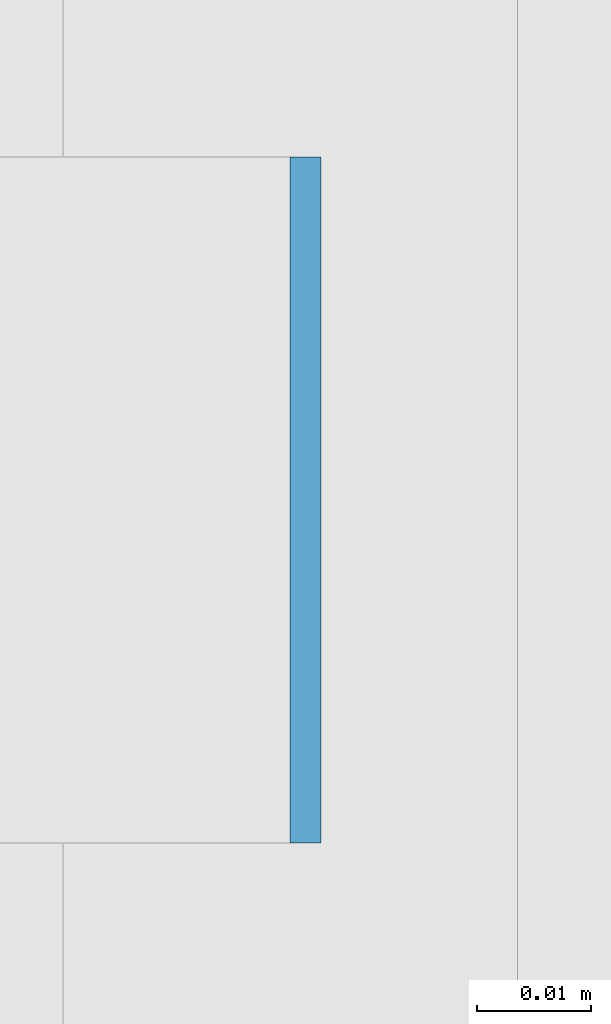
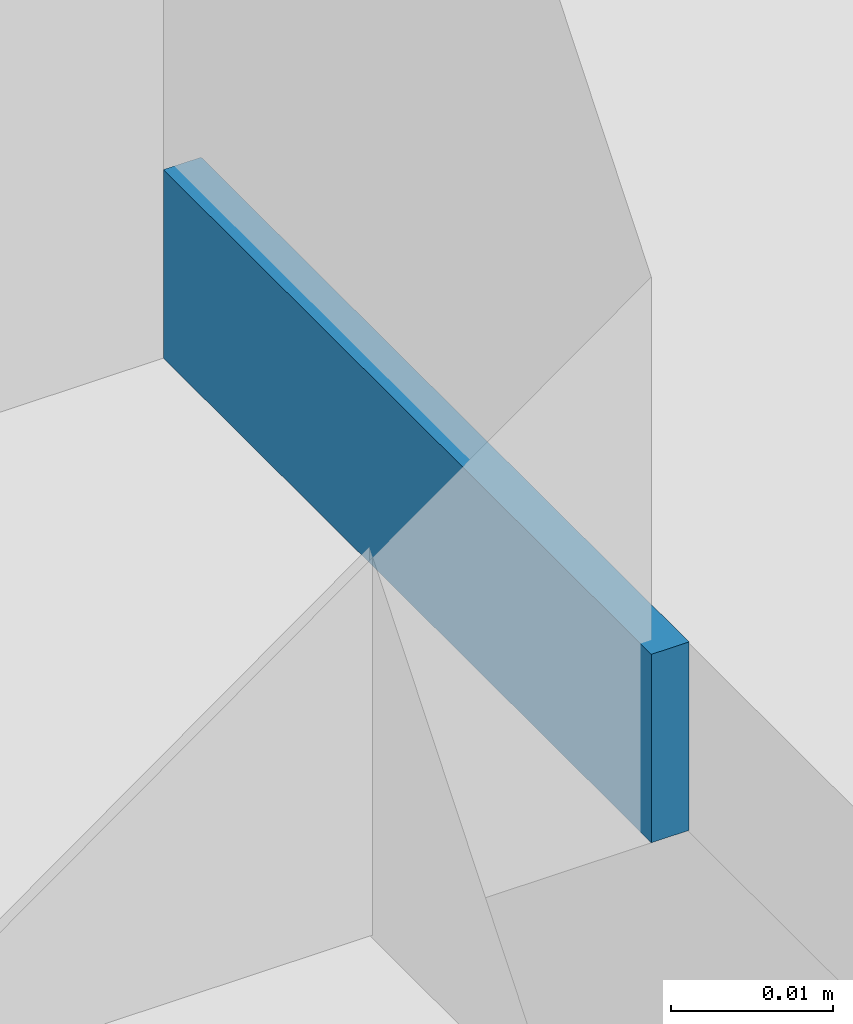
# One storey, part 360 of 646: 1 discrete accessory.
"""IFC4 building model written with IfcOpenShell, lengths in metres."""

from ifc_helpers import new_model, si_unit, direction, frame, origin, origin_2d, place, context, subcontext, project, spatial, rectangle, extrude, material, type_object, element, save


model = new_model("IFC4")

# Units and contexts
model_context = context("Model", 3, precision=1e-05, world=origin(), true_north=direction((0.0, 1.0)))
body_context = subcontext(model_context, "Body", "Model", "MODEL_VIEW")
ifc_project = project(units=[si_unit("LENGTHUNIT", "METRE"), si_unit("AREAUNIT", "SQUARE_METRE"), si_unit("VOLUMEUNIT", "CUBIC_METRE"), si_unit("PLANEANGLEUNIT", "RADIAN"), si_unit("MASSUNIT", "GRAM", prefix="KILO")], contexts=[model_context])

# Site, building, storey
site_placement = place(None, origin())
site = spatial("IfcSite", under=ifc_project, at=site_placement, CompositionType="ELEMENT")
building_placement = place(site_placement, origin())
building = spatial("IfcBuilding", under=site, at=building_placement, Name="Silverbay Arena", CompositionType="ELEMENT")
storey_placement = place(building_placement, frame((0.0, 0.0, 33.5)))
storey = spatial("IfcBuildingStorey", under=building, at=storey_placement, Name="L05", CompositionType="ELEMENT", Elevation=33.5)

# Discrete accessory
ifc_material = material(Name="Steel S355", Category="steel")
discrete_accessory_type = type_object("IfcDiscreteAccessoryType", Name="Steel bracket plate", PredefinedType="BRACKET", material=ifc_material)
discrete_accessory_placement = place(storey_placement, frame((53.871337890625, 96.428466796875, 4.0), z_axis=(0.0, 0.0, 1.0), x_axis=(1.0, 0.0, 0.0)))
element("IfcDiscreteAccessory", 1, at=discrete_accessory_placement, inside=storey, type_object=discrete_accessory_type, Name="Curtain wall packing plate", PredefinedType="BRACKET", context=body_context, shape_type="SweptSolid", body=[
    extrude(rectangle(XDim=0.002685546875, YDim=0.06005859375, at=origin_2d()), origin(), (0.0, 0.0, 1.0), 0.01416015625),
])

save(model, "model.ifc")
